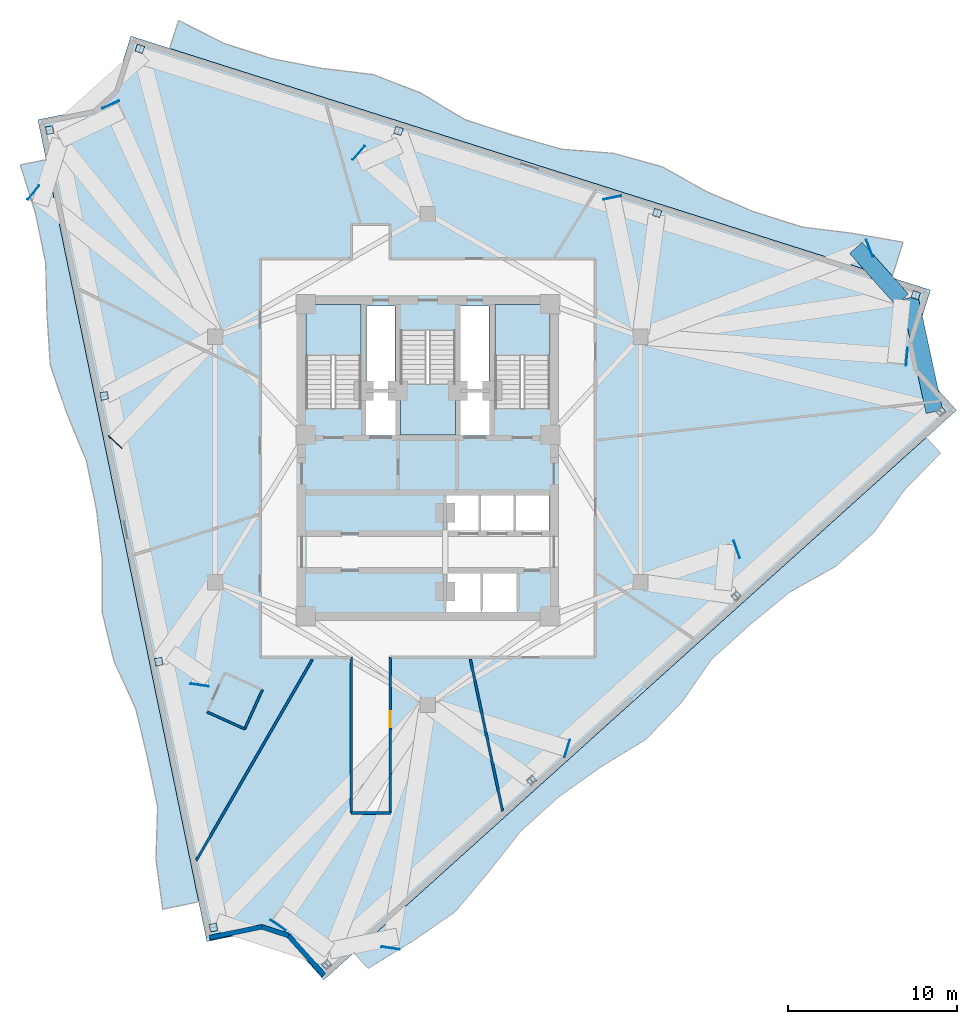
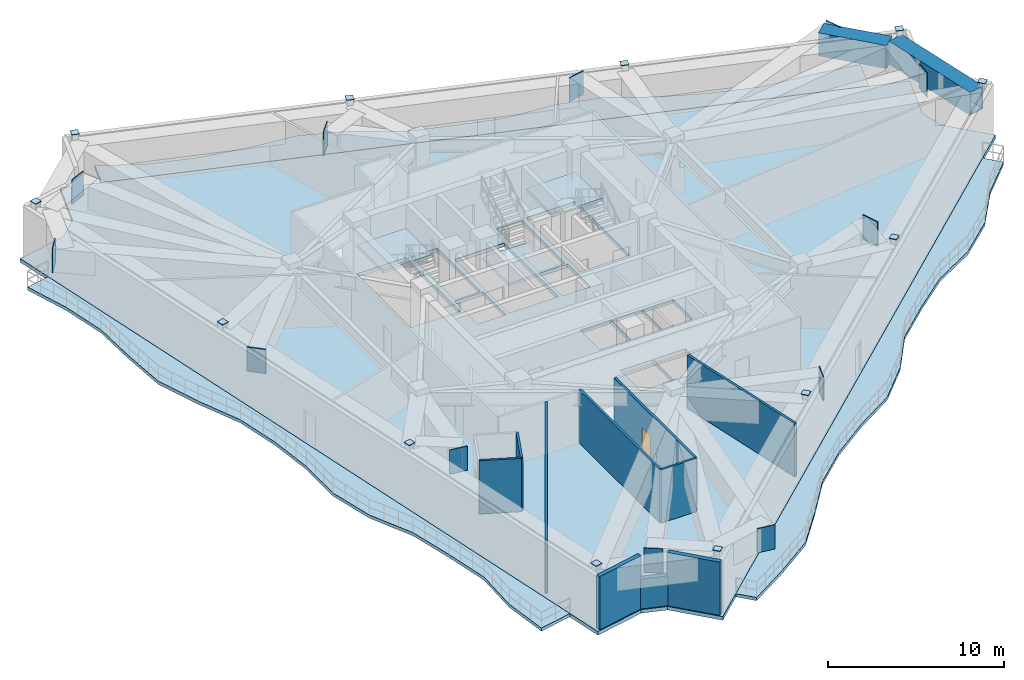
# One storey, part 5 of 12: 24 plates, 10 walls, 7 slabs, 2 beams, 1 door, 1 opening, 3 elements without a shape of their own.
"""IFC4 building model written with IfcOpenShell, lengths in metres."""

from ifc_helpers import new_model, si_unit, direction, frame, frame_2d, origin, origin_2d, place, context, subcontext, project, spatial, polyline, rectangle, hollow_rectangle, outline, extrude, material, layer, layer_set, material_profile, profile_set, type_object, element, fill, aggregate, save


model = new_model("IFC4")

# Units and contexts
model_context = context("Model", 3, precision=1e-05, world=origin(), true_north=direction((0.0, 1.0)))
body_context = subcontext(model_context, "Body", "Model", "MODEL_VIEW")
ifc_project = project(units=[si_unit("LENGTHUNIT", "METRE"), si_unit("AREAUNIT", "SQUARE_METRE"), si_unit("VOLUMEUNIT", "CUBIC_METRE"), si_unit("PLANEANGLEUNIT", "RADIAN"), si_unit("MASSUNIT", "GRAM", prefix="KILO")], contexts=[model_context])

# Site, building, storey
site_placement = place(None, origin())
site = spatial("IfcSite", under=ifc_project, at=site_placement, CompositionType="ELEMENT")
building_placement = place(site_placement, origin())
building = spatial("IfcBuilding", under=site, at=building_placement, Name="Apsidion Concourse Tower", CompositionType="ELEMENT")
storey_placement = place(building_placement, frame((0.0, 0.0, 256.800048828125)))
storey = spatial("IfcBuildingStorey", under=building, at=storey_placement, Name="L60", CompositionType="ELEMENT", Elevation=256.800048828125)

# Beams
ifc_material_1 = material(Name="Structural steel ASTM A572 Grade 50", Category="steel")
ifc_material_profile = material_profile(ifc_material_1, hollow_rectangle(XDim=1.0, YDim=1.60009765625, WallThickness=0.074951171875, at=origin_2d()), Name="BOX1600X1000X75")
ifc_profile_set = profile_set([ifc_material_profile], Name="Structural steel ASTM A572 Grade 50")
beam_type = type_object("IfcBeamType", Name="BM-TR-1600", PredefinedType="USERDEFINED", material=ifc_profile_set)
beam_1_placement = place(storey_placement, frame((29.912353515625, 2.813720703125, 2.89990234375), z_axis=(-0.211283381369, 0.977424847626, 0.0), x_axis=(-0.977424847626, -0.211283381369, 0.0)))
element("IfcBeam", 1, at=beam_1_placement, inside=storey, type_object=beam_type, Name="L60 Perimeter Spandrel Girder SP-08", ObjectType="GIRDER", PredefinedType="USERDEFINED", context=body_context, shape_type="SweptSolid", body=[
    extrude(hollow_rectangle(XDim=1.0, YDim=1.60009765625, WallThickness=0.074951171875, at=origin_2d()), origin(), (0.0, 0.0, 1.0), 6.88916015625),
])
beam_2_placement = place(storey_placement, frame((28.005859375, 9.4345703125, 2.89990234375), z_axis=(-0.665605875482, 0.746303435959, 0.0), x_axis=(-0.746303435959, -0.665605875482, 0.0)))
element("IfcBeam", 2, at=beam_2_placement, inside=storey, type_object=beam_type, Name="L60 Block-Step Perimeter Transfer Bridge NBR-09", ObjectType="GIRDER", PredefinedType="USERDEFINED", context=body_context, shape_type="SweptSolid", body=[
    extrude(hollow_rectangle(XDim=1.0, YDim=1.60009765625, WallThickness=0.074951171875, at=origin_2d()), origin(), (0.0, 0.0, 1.0), 4.096435546875),
])

# Plates
ifc_layer_1 = layer(ifc_material_1, 0.034912109375)
ifc_layer_set_1 = layer_set([ifc_layer_1], Name="Structural steel ASTM A572 Grade 50")
plate_type = type_object("IfcPlateType", Name="PL-ENDCAP-35", PredefinedType="USERDEFINED", material=ifc_layer_set_1)
for number, where, z_axis, x_axis, name in (
    (3, (-22.337158203125, 19.44677734375, 4.097900390625), (0.0, 0.0, 1.0), (-0.201248886216, 0.979540139962, 0.0), "L60 Step-Top Column End-Cap Plate PCCAP-PC01"),
    (4, (-19.11279296875, 3.75146484375, 4.097900390625), (0.0, 0.0, 1.0), (-0.201248886216, 0.979540139962, 0.0), "L60 Step-Top Column End-Cap Plate PCCAP-PC02"),
    (5, (-15.888671875, -11.94384765625, 4.097900390625), (0.0, 0.0, 1.0), (-0.201248886216, 0.979540139962, 0.0), "L60 Step-Top Column End-Cap Plate PCCAP-PC03"),
    (6, (-12.664306640625, -27.63916015625, 4.097900390625), (0.0, 0.0, 1.0), (-0.201248886216, 0.979540139962, 0.0), "L60 Step-Top Column End-Cap Plate PCCAP-PC04"),
    (7, (-5.967529296875, -29.840087890625, 4.097900390625), (0.0, 0.0, 1.0), (0.743144825477, 0.669130606359, 0.0), "L60 Step-Top Column End-Cap Plate PCCAP-PC05"),
    (8, (6.121826171875, -18.954833984375, 4.097900390625), (0.0, 0.0, 1.0), (0.743144825477, 0.669130606359, 0.0), "L60 Step-Top Column End-Cap Plate PCCAP-PC06"),
    (9, (18.211181640625, -8.069580078125, 4.097900390625), (0.0, 0.0, 1.0), (0.743144825477, 0.669130606359, 0.0), "L60 Step-Top Column End-Cap Plate PCCAP-PC07"),
    (10, (30.300537109375, 2.81591796875, 4.097900390625), (0.0, 0.0, 1.0), (0.743144825477, 0.669130606359, 0.0), "L60 Step-Top Column End-Cap Plate PCCAP-PC08"),
    (11, (28.811279296875, 9.705810546875, 4.097900390625), (0.0, 0.0, 1.0), (-0.953137879774, 0.3025362493, 0.0), "L60 Step-Top Column End-Cap Plate PCCAP-PC09"),
    (12, (13.539306640625, 14.552978515625, 4.097900390625), (0.0, 0.0, 1.0), (-0.953137879774, 0.3025362493, 0.0), "L60 Step-Top Column End-Cap Plate PCCAP-PC10"),
    (13, (-1.733154296875, 19.400390625, 4.097900390625), (0.0, 0.0, 1.0), (-0.953137879774, 0.3025362493, 0.0), "L60 Step-Top Column End-Cap Plate PCCAP-PC11"),
    (14, (-17.00537109375, 24.24755859375, 4.097900390625), (0.0, 0.0, 1.0), (-0.953137879774, 0.3025362493, 0.0), "L60 Step-Top Column End-Cap Plate PCCAP-PC12"),
):
    element("IfcPlate", number, at=place(storey_placement, frame(where, z_axis=z_axis, x_axis=x_axis)), inside=storey, type_object=plate_type, Name=name, ObjectType="FLANGE_PLATE", PredefinedType="USERDEFINED", context=body_context, shape_type="SweptSolid", body=[
        extrude(rectangle(XDim=0.452880859375, YDim=0.452880859375, at=origin_2d()), origin(), (0.0, 0.0, 1.0), 0.0400390625),
    ])
for number, where, z_axis, x_axis, name in (
    (15, (-23.29296875, 15.759765625, 2.06005859375), (0.0, 0.0, 1.0), (-0.783585034651, 0.621284551129, 0.0), "L60 Radial Transfer Girder End-Cap Plate NTRCAP-01"),
    (16, (-18.46826171875, 1.018798828125, 2.06005859375), (0.0, 0.0, 1.0), (-0.68810133034, -0.72561460789, 0.0), "L60 Radial Transfer Girder End-Cap Plate NTRCAP-02"),
    (17, (-13.48095703125, -13.322998046875, 2.06005859375), (0.0, 0.0, 1.0), (-0.149880475413, -0.988704123128, 0.0), "L60 Radial Transfer Girder End-Cap Plate NTRCAP-03"),
    (18, (-8.84326171875, -27.5087890625, 2.06005859375), (0.0, 0.0, 1.0), (-0.562227722082, -0.826982459622, 0.0), "L60 Radial Transfer Girder End-Cap Plate NTRCAP-04"),
    (19, (-2.20263671875, -28.854248046875, 2.06005859375), (0.0, 0.0, 1.0), (-0.151605860484, -0.9884410266, 0.0), "L60 Radial Transfer Girder End-Cap Plate NTRCAP-05"),
    (20, (8.224853515625, -17.0732421875, 2.06005859375), (0.0, 0.0, 1.0), (0.954396775097, -0.298541112219, 0.0), "L60 Radial Transfer Girder End-Cap Plate NTRCAP-06"),
    (21, (18.242431640625, -5.317626953125, 2.06005859375), (0.0, 0.0, 1.0), (0.946761694389, 0.321935232675, 0.0), "L60 Radial Transfer Girder End-Cap Plate NTRCAP-07"),
    (22, (28.281494140625, 6.063232421875, 2.06005859375), (0.0, 0.0, 1.0), (0.997158900261, -0.075326805528, 0.0), "L60 Radial Transfer Girder End-Cap Plate NTRCAP-08"),
    (23, (26.0810546875, 12.47119140625, 2.06005859375), (0.0, 0.0, 1.0), (0.93289068932, 0.360159633746, 0.0), "L60 Radial Transfer Girder End-Cap Plate NTRCAP-09"),
    (24, (10.891357421875, 15.459228515625, 2.06005859375), (0.0, 0.0, 1.0), (-0.199196902256, 0.979959485964, 0.0), "L60 Radial Transfer Girder End-Cap Plate NTRCAP-10"),
    (25, (-4.08447265625, 18.102294921875, 2.06005859375), (0.0, 0.0, 1.0), (-0.749995637512, 0.66144277433, 0.0), "L60 Radial Transfer Girder End-Cap Plate NTRCAP-11"),
    (26, (-18.732666015625, 20.95458984375, 2.06005859375), (0.0, 0.0, 1.0), (-0.410718852613, 0.911762043577, 0.0), "L60 Radial Transfer Girder End-Cap Plate NTRCAP-12"),
):
    element("IfcPlate", number, at=place(storey_placement, frame(where, z_axis=z_axis, x_axis=x_axis)), inside=storey, type_object=plate_type, Name=name, ObjectType="FLANGE_PLATE", PredefinedType="USERDEFINED", context=body_context, shape_type="SweptSolid", body=[
        extrude(rectangle(XDim=0.044921875, YDim=1.080078125, at=origin_2d()), origin(), (0.0, 0.0, 1.0), 1.679931640625),
    ])

# Slabs
ifc_material_2 = material(Name="Concrete C50/60", Category="concrete")
ifc_layer_2 = layer(ifc_material_2, 0.219970703125)
ifc_layer_set_2 = layer_set([ifc_layer_2], Name="Concrete C50/60")
slab_type_1 = type_object("IfcSlabType", Name="SL-BAL-220", PredefinedType="FLOOR", material=ifc_layer_set_2)
slab_1_placement = place(storey_placement, frame((0.0, 0.0, -0.219970703125)))
element("IfcSlab", 27, at=slab_1_placement, inside=storey, type_object=slab_type_1, Name="L60 Face 1 Rippling Balcony Slab", PredefinedType="FLOOR", context=body_context, shape_type="SweptSolid", body=[
    extrude(outline(polyline([(-22.54541015625, 17.70361328125), (-21.9443359375, 14.781494140625), (-21.343505859375, 11.859619140625), (-20.74267578125, 8.93798828125), (-20.141845703125, 6.01611328125), (-19.541015625, 3.093994140625), (-18.940185546875, 0.17236328125), (-18.339111328125, -2.74951171875), (-17.73828125, -5.67138671875), (-17.137451171875, -8.593505859375), (-16.53662109375, -11.51513671875), (-15.935791015625, -14.43701171875), (-15.3349609375, -17.35888671875), (-14.734130859375, -20.28076171875), (-14.13330078125, -23.20263671875), (-13.5322265625, -26.12451171875), (-15.66015625, -26.562255859375), (-16.0576171875, -23.598388671875), (-15.95849609375, -20.53271484375), (-16.559326171875, -17.61083984375), (-17.254150390625, -14.708251953125), (-18.5341796875, -11.926025390625), (-19.228271484375, -9.023193359375), (-19.22265625, -5.976806640625), (-19.563720703125, -3.00146484375), (-20.16455078125, -0.07958984375), (-21.322265625, 2.727783203125), (-22.29638671875, 5.572998046875), (-22.49267578125, 8.577880859375), (-22.56787109375, 11.60791015625), (-23.168701171875, 14.52978515625), (-24.0634765625, 17.391357421875), (-22.54541015625, 17.70361328125)])), origin(), (0.0, 0.0, 1.0), 0.219970703125),
])
slab_2_placement = place(storey_placement, frame((0.0, 0.0, -0.219970703125)))
element("IfcSlab", 28, at=slab_2_placement, inside=storey, type_object=slab_type_1, Name="L60 Face 2 Rippling Balcony Slab", PredefinedType="FLOOR", context=body_context, shape_type="SweptSolid", body=[
    extrude(outline(polyline([(-4.364501953125, -29.136962890625), (-2.111328125, -27.108154296875), (0.141845703125, -25.079345703125), (2.39501953125, -23.050537109375), (4.648193359375, -21.021728515625), (6.901611328125, -18.992919921875), (9.15478515625, -16.964111328125), (11.407958984375, -14.935302734375), (13.6611328125, -12.906494140625), (15.914306640625, -10.877685546875), (18.16748046875, -8.848876953125), (20.420654296875, -6.820068359375), (22.673828125, -4.791259765625), (24.927001953125, -2.762451171875), (27.180419921875, -0.733642578125), (29.43359375, 1.295166015625), (30.27001953125, 0.3662109375), (28.141357421875, -1.801025390625), (26.333740234375, -4.32470703125), (24.061279296875, -6.332275390625), (21.348388671875, -7.850341796875), (19.00390625, -9.77783203125), (16.750732421875, -11.806640625), (14.973388671875, -14.364013671875), (12.85986328125, -16.548095703125), (10.224609375, -18.15234375), (7.73779296875, -19.921875), (5.484619140625, -21.95068359375), (3.58349609375, -24.370361328125), (1.61376953125, -26.714111328125), (-0.902587890625, -28.450439453125), (-3.528076171875, -30.06591796875), (-4.364501953125, -29.136962890625)])), origin(), (0.0, 0.0, 1.0), 0.219970703125),
])
slab_3_placement = place(storey_placement, frame((0.0, 0.0, -0.219970703125)))
element("IfcSlab", 29, at=slab_3_placement, inside=storey, type_object=slab_type_1, Name="L60 Face 3 Rippling Balcony Slab", PredefinedType="FLOOR", context=body_context, shape_type="SweptSolid", body=[
    extrude(outline(polyline([(27.39599609375, 10.727294921875), (24.552978515625, 11.63037109375), (21.7099609375, 12.533447265625), (18.86669921875, 13.436279296875), (16.023681640625, 14.33935546875), (13.1806640625, 15.2421875), (10.337646484375, 16.145263671875), (7.49462890625, 17.04833984375), (4.651611328125, 17.951416015625), (1.80859375, 18.854248046875), (-1.03466796875, 19.75732421875), (-3.877685546875, 20.660400390625), (-6.720703125, 21.563232421875), (-9.563720703125, 22.46630859375), (-12.40673828125, 23.369140625), (-15.25, 24.272216796875), (-14.723876953125, 25.92822265625), (-12.028564453125, 24.560546875), (-9.185302734375, 23.65771484375), (-6.23583984375, 23.090087890625), (-3.2216796875, 22.7255859375), (-0.435791015625, 21.642333984375), (2.191650390625, 20.060546875), (5.02978515625, 19.142578125), (7.89697265625, 18.3154296875), (10.951416015625, 18.077880859375), (13.8291015625, 17.28369140625), (16.48779296875, 15.800048828125), (19.2451171875, 14.627685546875), (22.08837890625, 13.724609375), (25.0986328125, 13.3486328125), (28.06201171875, 12.82421875), (27.39599609375, 10.727294921875)])), origin(), (0.0, 0.0, 1.0), 0.219970703125),
])
ifc_layer_3 = layer(ifc_material_2, 0.25)
ifc_layer_set_3 = layer_set([ifc_layer_3], Name="Concrete C50/60")
slab_type_2 = type_object("IfcSlabType", Name="SL-FLR-250", PredefinedType="FLOOR", material=ifc_layer_set_3)
slab_4_placement = place(storey_placement, frame((0.0, 0.0, -0.25)))
element("IfcSlab", 30, at=slab_4_placement, inside=storey, type_object=slab_type_2, Name="L60 Structural Floor Slab", PredefinedType="FLOOR", context=body_context, shape_type="SweptSolid", body=[
    extrude(outline(polyline([(-17.537353515625, 24.998779296875), (-18.535400390625, 21.8564453125), (-19.79931640625, 20.718505859375), (-23.02880859375, 20.05419921875), (-13.048828125, -28.475341796875), (-9.819580078125, -27.811279296875), (-8.354248046875, -28.292724609375), (-6.148193359375, -30.742919921875), (31.217041015625, 2.90087890625), (29.010986328125, 5.35107421875), (28.685302734375, 6.858642578125), (29.683349609375, 10.0009765625), (-17.537353515625, 24.998779296875)]), holes=[polyline([(-3.949951171875, 3.0), (-3.949951171875, 9.14990234375), (-7.199951171875, 9.14990234375), (-7.199951171875, 3.0), (-3.949951171875, 3.0)]), polyline([(7.199951171875, 3.0), (7.199951171875, 9.14990234375), (3.949951171875, 9.14990234375), (3.949951171875, 3.0), (7.199951171875, 3.0)]), polyline([(-1.625, 7.60009765625), (-1.625, 1.449951171875), (1.625, 1.449951171875), (1.625, 7.60009765625), (-1.625, 7.60009765625)]), polyline([(1.054931640625, -4.300048828125), (3.044921875, -4.300048828125), (3.044921875, -2.050048828125), (1.054931640625, -2.050048828125), (1.054931640625, -4.300048828125)]), polyline([(3.10498046875, -4.300048828125), (5.094970703125, -4.300048828125), (5.094970703125, -2.050048828125), (3.10498046875, -2.050048828125), (3.10498046875, -4.300048828125)]), polyline([(5.155029296875, -4.300048828125), (7.14501953125, -4.300048828125), (7.14501953125, -2.050048828125), (5.155029296875, -2.050048828125), (5.155029296875, -4.300048828125)]), polyline([(1.044921875, -9.0), (3.155029296875, -9.0), (3.155029296875, -6.64990234375), (1.044921875, -6.64990234375), (1.044921875, -9.0)]), polyline([(3.195068359375, -9.0), (5.304931640625, -9.0), (5.304931640625, -6.64990234375), (3.195068359375, -6.64990234375), (3.195068359375, -9.0)]), polyline([(-3.7099609375, 1.39990234375), (-1.85009765625, 1.39990234375), (-1.85009765625, 4.0), (-3.7099609375, 4.0), (-3.7099609375, 1.39990234375)]), polyline([(1.85009765625, 1.39990234375), (3.7099609375, 1.39990234375), (3.7099609375, 4.0), (1.85009765625, 4.0), (1.85009765625, 1.39990234375)]), polyline([(-3.6201171875, 4.14990234375), (-1.93994140625, 4.14990234375), (-1.93994140625, 9.050048828125), (-3.6201171875, 9.050048828125), (-3.6201171875, 4.14990234375)]), polyline([(1.93994140625, 4.14990234375), (3.6201171875, 4.14990234375), (3.6201171875, 9.050048828125), (1.93994140625, 9.050048828125), (1.93994140625, 4.14990234375)])]), origin(), (0.0, 0.0, 1.0), 0.25),
])

# Stair, slab
ifc_material_3 = material(Name="Precast concrete C40/50", Category="concrete")
stair_type = type_object("IfcStairType", Name="ST-DL-1550", PredefinedType="HALF_TURN_STAIR", material=ifc_material_3)
stair_1_placement = place(storey_placement, origin())
stair_1 = element("IfcStair", 31, at=stair_1_placement, inside=storey, type_object=stair_type, Name="L60 Protected Core Exit Stair ST1", PredefinedType="HALF_TURN_STAIR")
ifc_layer_4 = layer(ifc_material_2, 0.199951171875)
ifc_layer_set_4 = layer_set([ifc_layer_4], Name="Concrete C50/60")
slab_type_3 = type_object("IfcSlabType", Name="SL-ST-LAND-200", PredefinedType="LANDING", material=ifc_layer_set_4)
slab_5_placement = place(storey_placement, frame((0.0, 0.0, 1.849853515625)))
slab_5 = element("IfcSlab", 32, at=slab_5_placement, type_object=slab_type_3, Name="ST1 landing 1", PredefinedType="LANDING", context=body_context, shape_type="SweptSolid", body=[
    extrude(outline(polyline([(-3.949951171875, 6.135009765625), (-3.949951171875, 9.14990234375), (-7.199951171875, 9.14990234375), (-7.199951171875, 6.135009765625), (-3.949951171875, 6.135009765625)])), origin(), (0.0, 0.0, 1.0), 0.2001953125),
])
aggregate(stair_1, [slab_5])

stair_2_placement = place(storey_placement, origin())
stair_2 = element("IfcStair", 33, at=stair_2_placement, inside=storey, type_object=stair_type, Name="L60 Protected Core Exit Stair ST2", PredefinedType="HALF_TURN_STAIR")
slab_6_placement = place(storey_placement, frame((0.0, 0.0, 1.849853515625)))
slab_6 = element("IfcSlab", 34, at=slab_6_placement, type_object=slab_type_3, Name="ST2 landing 1", PredefinedType="LANDING", context=body_context, shape_type="SweptSolid", body=[
    extrude(outline(polyline([(7.199951171875, 6.135009765625), (7.199951171875, 9.14990234375), (3.949951171875, 9.14990234375), (3.949951171875, 6.135009765625), (7.199951171875, 6.135009765625)])), origin(), (0.0, 0.0, 1.0), 0.2001953125),
])
aggregate(stair_2, [slab_6])

stair_3_placement = place(storey_placement, origin())
stair_3 = element("IfcStair", 35, at=stair_3_placement, inside=storey, type_object=stair_type, Name="L60 Protected Core Exit Stair ST3", PredefinedType="HALF_TURN_STAIR")
slab_7_placement = place(storey_placement, frame((0.0, 0.0, 1.849853515625)))
slab_7 = element("IfcSlab", 36, at=slab_7_placement, type_object=slab_type_3, Name="ST3 landing 1", PredefinedType="LANDING", context=body_context, shape_type="SweptSolid", body=[
    extrude(outline(polyline([(-1.625, 4.465087890625), (-1.625, 1.449951171875), (1.625, 1.449951171875), (1.625, 4.465087890625), (-1.625, 4.465087890625)])), origin(), (0.0, 0.0, 1.0), 0.2001953125),
])
aggregate(stair_3, [slab_7])

# Walls
ifc_layer_5 = layer(ifc_material_3, 0.280029296875)
ifc_layer_set_5 = layer_set([ifc_layer_5], Name="Precast concrete C40/50")
wall_type_1 = type_object("IfcWallType", Name="WL-EXT-280", PredefinedType="STANDARD", material=ifc_layer_set_5)
wall_1_placement = place(storey_placement, frame((-6.13330078125, -30.46044921875, 0.0), z_axis=(0.0, 0.0, 1.0), x_axis=(-0.669131702868, 0.743143838175, 0.0)))
element("IfcWall", 37, at=wall_1_placement, inside=storey, type_object=wall_type_1, Name="L60 Precast Stone Facade Wall 06", PredefinedType="STANDARD", context=body_context, shape_type="SweptSolid", body=[
    extrude(rectangle(XDim=3.150146484375, YDim=0.280029296875, at=frame_2d((1.5751953125, 0.0))), origin(), (0.0, 0.0, 1.0), 3.699951171875),
])
wall_2_placement = place(storey_placement, frame((-8.2412109375, -28.119384765625, 0.0), z_axis=(0.0, 0.0, 1.0), x_axis=(-0.950036767419, 0.312138015231, 0.0)))
element("IfcWall", 38, at=wall_2_placement, inside=storey, type_object=wall_type_1, Name="L60 Precast Stone Facade Wall 07", PredefinedType="STANDARD", context=body_context, shape_type="SweptSolid", body=[
    extrude(rectangle(XDim=1.648681640625, YDim=0.280029296875, at=frame_2d((0.82421875, 0.0))), origin(), (0.0, 0.0, 1.0), 2.079833984375),
])
wall_3_placement = place(storey_placement, frame((-9.8076171875, -27.604736328125, 0.0), z_axis=(0.0, 0.0, 1.0), x_axis=(-0.979505186658, -0.201418939799, 0.0)))
element("IfcWall", 39, at=wall_3_placement, inside=storey, type_object=wall_type_1, Name="L60 Precast Stone Facade Wall 08", PredefinedType="STANDARD", context=body_context, shape_type="SweptSolid", body=[
    extrude(rectangle(XDim=3.150146484375, YDim=0.280029296875, at=frame_2d((1.5751953125, 0.0))), origin(), (0.0, 0.0, 1.0), 3.699951171875),
])
ifc_material_4 = material(Name="Gypsum plasterboard partition")
ifc_layer_6 = layer(ifc_material_4, 0.139892578125)
ifc_layer_set_6 = layer_set([ifc_layer_6], Name="Gypsum plasterboard partition")
wall_type_2 = type_object("IfcWallType", Name="WL-INT-PAR-140", PredefinedType="PARTITIONING", material=ifc_layer_set_6)
wall_4_placement = place(storey_placement, frame((-13.040283203125, -14.91455078125, 0.0), z_axis=(0.0, 0.0, 1.0), x_axis=(0.911398443398, -0.411525062872, 0.0)))
element("IfcWall", 40, at=wall_4_placement, inside=storey, type_object=wall_type_2, Name="L60 Interior Partition WL-L60-POD-OFAWC-S2", PredefinedType="PARTITIONING", context=body_context, shape_type="SweptSolid", body=[
    extrude(rectangle(XDim=2.440185546875, YDim=0.139892578125, at=frame_2d((1.22021484375, 0.0))), origin(), (0.0, 0.0, 1.0), 3.699951171875),
])
wall_5_placement = place(storey_placement, frame((-10.81640625, -15.918701171875, 0.0), z_axis=(0.0, 0.0, 1.0), x_axis=(0.41149143055, 0.911413628702, 0.0)))
element("IfcWall", 41, at=wall_5_placement, inside=storey, type_object=wall_type_2, Name="L60 Interior Partition WL-L60-POD-OFAWC-S3", PredefinedType="PARTITIONING", context=body_context, shape_type="SweptSolid", body=[
    extrude(rectangle(XDim=2.5400390625, YDim=0.139892578125, at=frame_2d((1.27001953125, 0.0))), origin(), (0.0, 0.0, 1.0), 3.699951171875),
])

# Wall, opening, door
ifc_layer_7 = layer(ifc_material_4, 0.14990234375)
ifc_layer_set_7 = layer_set([ifc_layer_7], Name="Gypsum plasterboard partition")
wall_type_3 = type_object("IfcWallType", Name="WL-INT-PAR-150", PredefinedType="PARTITIONING", material=ifc_layer_set_7)
wall_6_placement = place(storey_placement, frame((-2.219970703125, -11.699951171875, 0.0), z_axis=(0.0, 0.0, 1.0), x_axis=(0.0, -1.0, 0.0)))
wall_6 = element("IfcWall", 42, at=wall_6_placement, inside=storey, type_object=wall_type_3, Name="L60 Interior Partition WL-L60-CORR-10", PredefinedType="PARTITIONING", context=body_context, shape_type="SweptSolid", body=[
    extrude(rectangle(XDim=9.179931640625, YDim=0.14990234375, at=frame_2d((4.58984375, 0.0))), origin(), (0.0, 0.0, 1.0), 3.699951171875),
])
opening_placement = place(wall_6_placement, frame((3.1650390625, 0.0, 0.0)))
opening = element("IfcOpeningElement", 43, at=opening_placement, cuts=wall_6, Name="Opening D-01R", PredefinedType="OPENING", context=body_context, shape_type="SweptSolid", body=[
    extrude(rectangle(XDim=0.949951171875, YDim=2.14990234375, at=frame_2d((0.47509765625, 1.074951171875))), frame((0.0, 0.0849609375, 0.0), z_axis=(0.0, -1.0, 0.0), x_axis=(1.0, 0.0, 0.0)), (0.0, 0.0, 1.0), 0.169921875),
])
ifc_material_5 = material(Name="Brushed stainless steel 316", Category="steel")
door_type = type_object("IfcDoorType", Name="DR-INT-D01R", OperationType="SINGLE_SWING_RIGHT", PredefinedType="DOOR", material=ifc_material_5)
door_placement = place(opening_placement, origin())
door = element("IfcDoor", 44, at=door_placement, inside=storey, type_object=door_type, Name="L60 Corridor Entry Door 02", OperationType="SINGLE_SWING_RIGHT", OverallHeight=2.14990234375, OverallWidth=0.949951171875, PredefinedType="DOOR", context=body_context, shape_type="SweptSolid", body=[
    extrude(rectangle(XDim=0.949951171875, YDim=2.14990234375, at=frame_2d((0.47509765625, 1.074951171875))), frame((0.0, 0.02490234375, 0.0), z_axis=(0.0, -1.0, 0.0), x_axis=(1.0, 0.0, 0.0)), (0.0, 0.0, 1.0), 0.050048828125),
])
fill(opening, door)

# Walls
wall_7_placement = place(storey_placement, frame((-2.219970703125, -20.8798828125, 0.0), z_axis=(0.0, 0.0, 1.0), x_axis=(-1.0, 0.0, 0.0)))
element("IfcWall", 45, at=wall_7_placement, inside=storey, type_object=wall_type_3, Name="L60 Interior Partition WL-L60-CORR-11", PredefinedType="PARTITIONING", context=body_context, shape_type="SweptSolid", body=[
    extrude(rectangle(XDim=2.31005859375, YDim=0.14990234375, at=frame_2d((1.155029296875, 0.0))), origin(), (0.0, 0.0, 1.0), 3.699951171875),
])
wall_8_placement = place(storey_placement, frame((-4.530029296875, -20.8798828125, 0.0), z_axis=(0.0, 0.0, 1.0), x_axis=(0.0, 1.0, 0.0)))
element("IfcWall", 46, at=wall_8_placement, inside=storey, type_object=wall_type_3, Name="L60 Interior Partition WL-L60-CORR-12", PredefinedType="PARTITIONING", context=body_context, shape_type="SweptSolid", body=[
    extrude(rectangle(XDim=9.179931640625, YDim=0.14990234375, at=frame_2d((4.58984375, 0.0))), origin(), (0.0, 0.0, 1.0), 3.699951171875),
])
wall_9_placement = place(storey_placement, frame((-6.815673828125, -11.804931640625, 0.0), z_axis=(0.0, 0.0, 1.0), x_axis=(-0.499997278212, -0.866026975204, 0.0)))
element("IfcWall", 47, at=wall_9_placement, inside=storey, type_object=wall_type_3, Name="L60 Interior Partition WL-L60-RAD-06-1", PredefinedType="PARTITIONING", context=body_context, shape_type="SweptSolid", body=[
    extrude(rectangle(XDim=13.71337890625, YDim=0.14990234375, at=frame_2d((6.856689453125, 0.0))), origin(), (0.0, 0.0, 1.0), 3.699951171875),
])
wall_10_placement = place(storey_placement, frame((2.50927734375, -11.804931640625, 0.0), z_axis=(0.0, 0.0, 1.0), x_axis=(0.207916503322, -0.978146577792, 0.0)))
element("IfcWall", 48, at=wall_10_placement, inside=storey, type_object=wall_type_3, Name="L60 Interior Partition WL-L60-RAD-07-1", PredefinedType="PARTITIONING", context=body_context, shape_type="SweptSolid", body=[
    extrude(rectangle(XDim=9.15185546875, YDim=0.14990234375, at=frame_2d((4.575927734375, 0.0))), origin(), (0.0, 0.0, 1.0), 3.699951171875),
])

save(model, "model.ifc")
